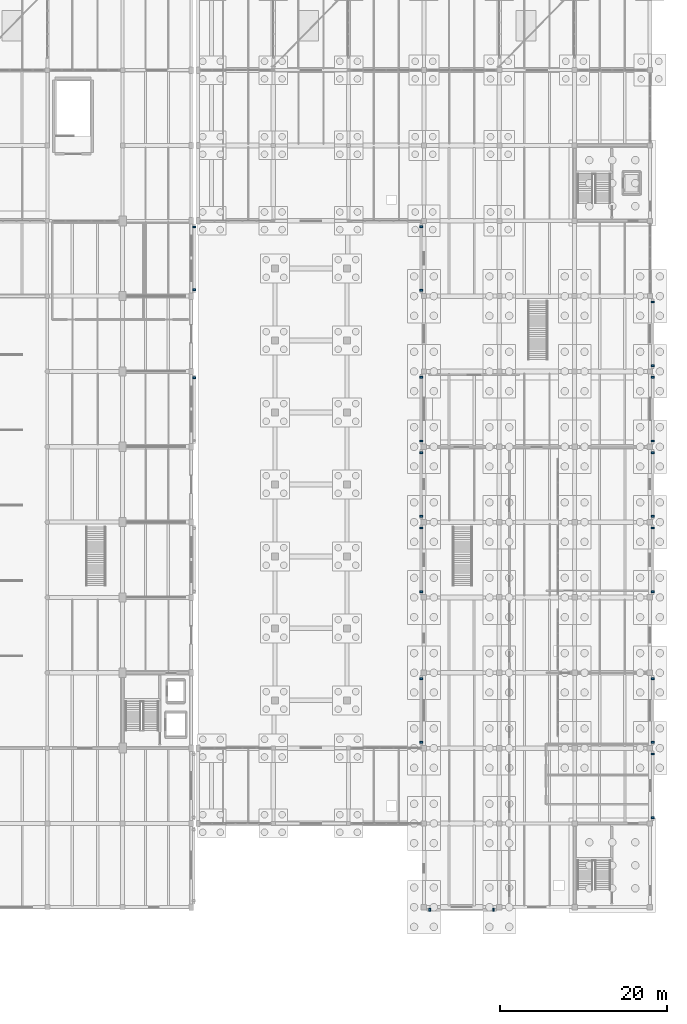
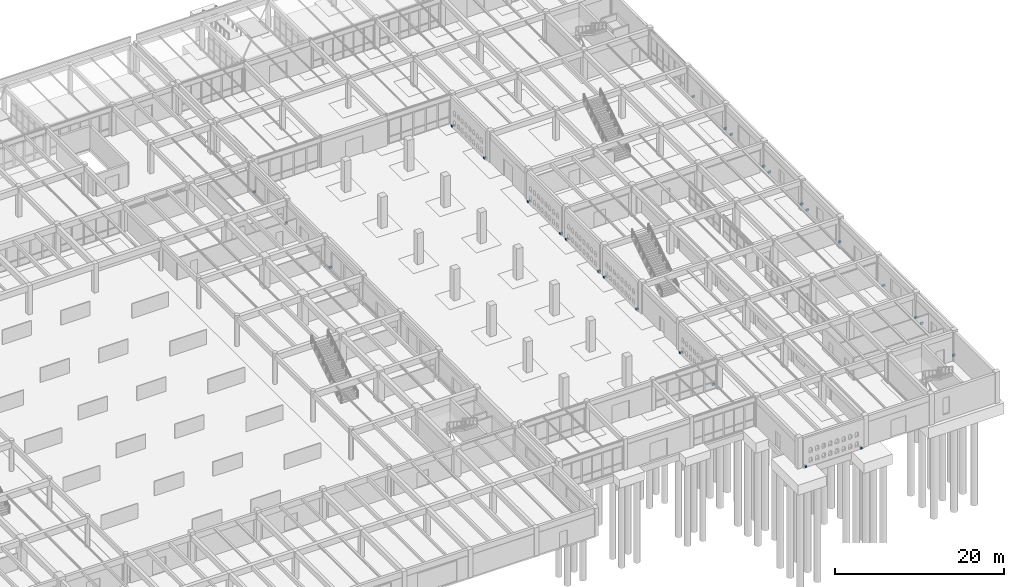
# One storey, part 176 of 186: 27 discrete accessories.
"""IFC4 building model written with IfcOpenShell, lengths in metres."""

from ifc_helpers import new_model, si_unit, direction, frame, origin, origin_2d, place, context, subcontext, project, spatial, rectangle, extrude, material, type_object, element, save


model = new_model("IFC4")

# Units and contexts
model_context = context("Model", 3, precision=1e-05, world=origin(), true_north=direction((0.0, 1.0)))
body_context = subcontext(model_context, "Body", "Model", "MODEL_VIEW")
ifc_project = project(units=[si_unit("LENGTHUNIT", "METRE"), si_unit("AREAUNIT", "SQUARE_METRE"), si_unit("VOLUMEUNIT", "CUBIC_METRE"), si_unit("PLANEANGLEUNIT", "RADIAN"), si_unit("MASSUNIT", "GRAM", prefix="KILO")], contexts=[model_context])

# Site, building, storey
site_placement = place(None, origin())
site = spatial("IfcSite", under=ifc_project, at=site_placement, CompositionType="ELEMENT")
building_placement = place(site_placement, origin())
building = spatial("IfcBuilding", under=site, at=building_placement, Name="Ornek Quay Market", CompositionType="ELEMENT")
storey_placement = place(building_placement, origin())
storey = spatial("IfcBuildingStorey", under=building, at=storey_placement, Name="L00", CompositionType="ELEMENT", Elevation=0.0)

# Discrete accessories
ifc_material = material(Name="Stainless steel 316", Category="steel")
discrete_accessory_type = type_object("IfcDiscreteAccessoryType", Name="ACC-BRK-SCREEN-250", PredefinedType="BRACKET", material=ifc_material)
for number, where, z_axis, x_axis, name in (
    (1, (125.5400390625, 73.25, 0.0), (0.0, 0.0, 1.0), (0.0, 1.0, 0.0), "Masonry screen bracket BRK-080"),
    (2, (125.5400390625, 83.75, 0.0), (0.0, 0.0, 1.0), (0.0, 1.0, 0.0), "Masonry screen bracket BRK-081"),
    (3, (125.5400390625, 91.25, 0.0), (0.0, 0.0, 1.0), (0.0, 1.0, 0.0), "Masonry screen bracket BRK-082"),
    (4, (152.669921875, 65.699951171875, 0.0), (0.0, 0.0, 1.0), (0.0, 1.0, 0.0), "Masonry screen bracket BRK-123"),
    (5, (152.669921875, 73.300048828125, 0.0), (0.0, 0.0, 1.0), (0.0, 1.0, 0.0), "Masonry screen bracket BRK-124"),
    (6, (152.669921875, 83.699951171875, 0.0), (0.0, 0.0, 1.0), (0.0, 1.0, 0.0), "Masonry screen bracket BRK-125"),
    (7, (152.669921875, 91.300048828125, 0.0), (0.0, 0.0, 1.0), (0.0, 1.0, 0.0), "Masonry screen bracket BRK-126"),
    (8, (180.330078125, 65.699951171875, 0.0), (0.0, 0.0, 1.0), (0.0, 1.0, 0.0), "Masonry screen bracket BRK-127"),
    (9, (180.330078125, 73.300048828125, 0.0), (0.0, 0.0, 1.0), (0.0, 1.0, 0.0), "Masonry screen bracket BRK-128"),
    (10, (180.330078125, 74.699951171875, 0.0), (0.0, 0.0, 1.0), (0.0, 1.0, 0.0), "Masonry screen bracket BRK-129"),
    (11, (180.330078125, 82.300048828125, 0.0), (0.0, 0.0, 1.0), (0.0, 1.0, 0.0), "Masonry screen bracket BRK-130"),
    (12, (152.669921875, 29.699951171875, 0.0), (0.0, 0.0, 1.0), (0.0, 1.0, 0.0), "Masonry screen bracket BRK-159"),
    (13, (152.669921875, 37.300048828125, 0.0), (0.0, 0.0, 1.0), (0.0, 1.0, 0.0), "Masonry screen bracket BRK-160"),
    (14, (152.669921875, 47.699951171875, 0.0), (0.0, 0.0, 1.0), (0.0, 1.0, 0.0), "Masonry screen bracket BRK-161"),
    (15, (152.669921875, 55.300048828125, 0.0), (0.0, 0.0, 1.0), (0.0, 1.0, 0.0), "Masonry screen bracket BRK-162"),
    (16, (152.669921875, 56.699951171875, 0.0), (0.0, 0.0, 1.0), (0.0, 1.0, 0.0), "Masonry screen bracket BRK-163"),
    (17, (152.669921875, 64.300048828125, 0.0), (0.0, 0.0, 1.0), (0.0, 1.0, 0.0), "Masonry screen bracket BRK-164"),
    (18, (180.330078125, 20.699951171875, 0.0), (0.0, 0.0, 1.0), (0.0, 1.0, 0.0), "Masonry screen bracket BRK-165"),
    (19, (180.330078125, 28.300048828125, 0.0), (0.0, 0.0, 1.0), (0.0, 1.0, 0.0), "Masonry screen bracket BRK-166"),
    (20, (180.330078125, 29.699951171875, 0.0), (0.0, 0.0, 1.0), (0.0, 1.0, 0.0), "Masonry screen bracket BRK-167"),
    (21, (180.330078125, 37.300048828125, 0.0), (0.0, 0.0, 1.0), (0.0, 1.0, 0.0), "Masonry screen bracket BRK-168"),
    (22, (180.330078125, 47.699951171875, 0.0), (0.0, 0.0, 1.0), (0.0, 1.0, 0.0), "Masonry screen bracket BRK-169"),
    (23, (180.330078125, 55.300048828125, 0.0), (0.0, 0.0, 1.0), (0.0, 1.0, 0.0), "Masonry screen bracket BRK-170"),
    (24, (180.330078125, 56.699951171875, 0.0), (0.0, 0.0, 1.0), (0.0, 1.0, 0.0), "Masonry screen bracket BRK-171"),
    (25, (180.330078125, 64.300048828125, 0.0), (0.0, 0.0, 1.0), (0.0, 1.0, 0.0), "Masonry screen bracket BRK-172"),
    (26, (153.699951171875, 9.669921875, 0.0), (0.0, 0.0, 1.0), (1.0, 0.0, 0.0), "Masonry screen bracket BRK-173"),
    (27, (161.300048828125, 9.669921875, 0.0), (0.0, 0.0, 1.0), (1.0, 0.0, 0.0), "Masonry screen bracket BRK-174"),
):
    element("IfcDiscreteAccessory", number, at=place(storey_placement, frame(where, z_axis=z_axis, x_axis=x_axis)), inside=storey, type_object=discrete_accessory_type, Name=name, PredefinedType="BRACKET", context=body_context, shape_type="SweptSolid", body=[
        extrude(rectangle(XDim=0.219970703125, YDim=0.360107421875, at=origin_2d()), origin(), (0.0, 0.0, 1.0), 0.260009765625),
    ])

save(model, "model.ifc")
